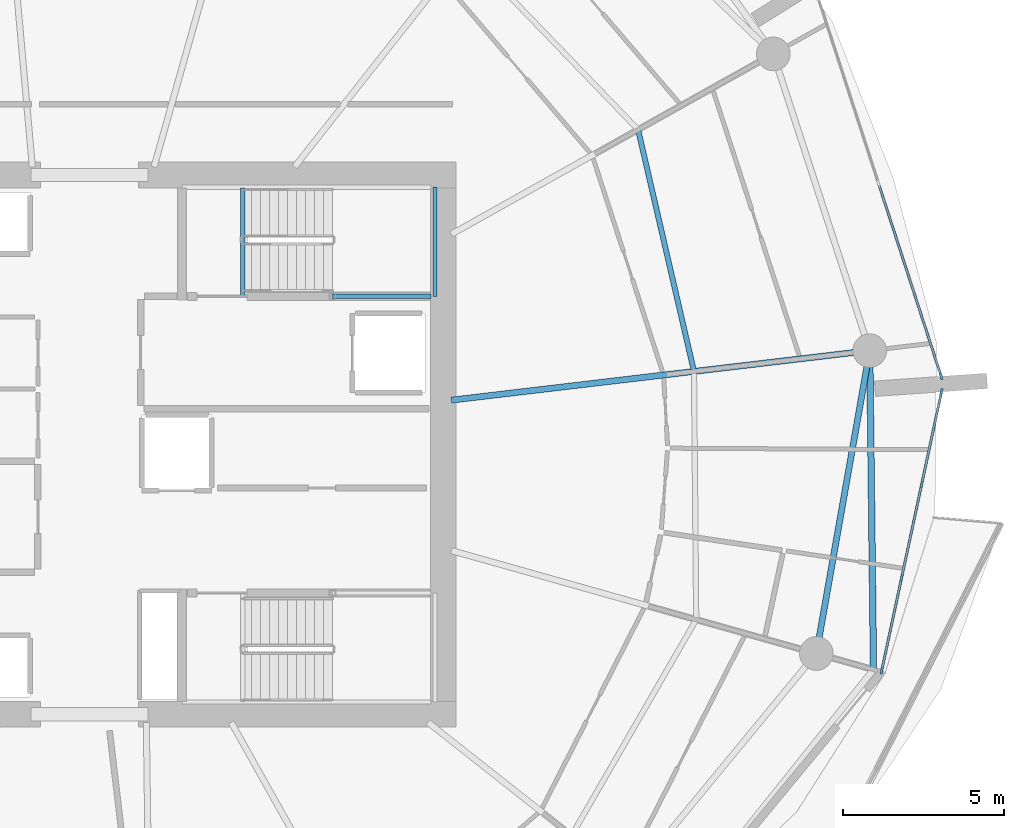
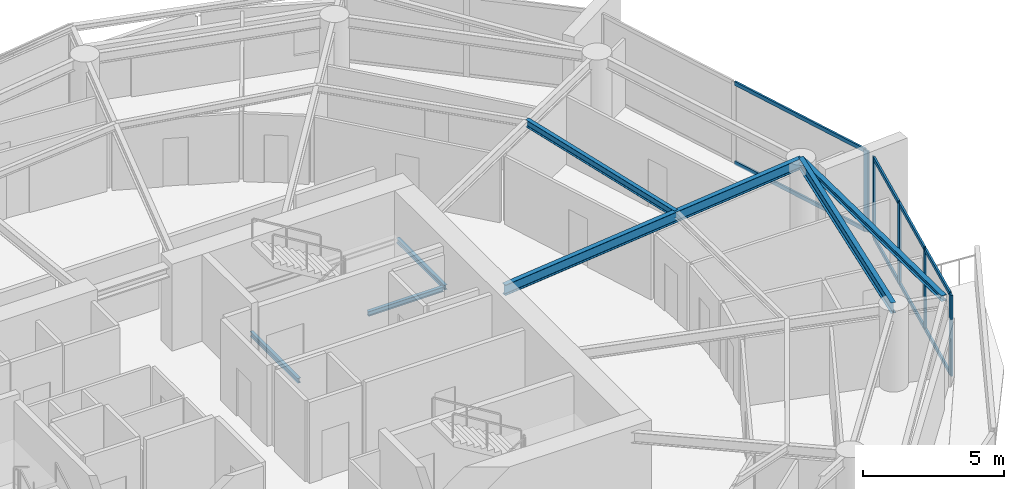
# One storey, part 7 of 20: 13 members, 7 beams, 2 elements without a shape of their own.
"""IFC4 building model written with IfcOpenShell, lengths in metres."""

from ifc_helpers import new_model, si_unit, direction, frame, origin, origin_2d, place, context, subcontext, project, spatial, rectangle, i_section, extrude, material, layer, layer_set, material_profile, profile_set, type_object, element, aggregate, save


model = new_model("IFC4")

# Units and contexts
model_context = context("Model", 3, precision=1e-05, world=origin(), true_north=direction((0.0, 1.0)))
body_context = subcontext(model_context, "Body", "Model", "MODEL_VIEW")
ifc_project = project(units=[si_unit("LENGTHUNIT", "METRE"), si_unit("AREAUNIT", "SQUARE_METRE"), si_unit("VOLUMEUNIT", "CUBIC_METRE"), si_unit("PLANEANGLEUNIT", "RADIAN"), si_unit("MASSUNIT", "GRAM", prefix="KILO")], contexts=[model_context])

# Site, building, storey
site_placement = place(None, origin())
site = spatial("IfcSite", under=ifc_project, at=site_placement, CompositionType="ELEMENT")
building_placement = place(site_placement, origin())
building = spatial("IfcBuilding", under=site, at=building_placement, Name="Kazma Halo Residences", CompositionType="ELEMENT")
storey_placement = place(building_placement, frame((0.0, 0.0, 142.800048828125)))
storey = spatial("IfcBuildingStorey", under=building, at=storey_placement, Name="L35", CompositionType="ELEMENT", Elevation=142.800048828125)

# Beams
ifc_material_1 = material(Name="Steel S355", Category="steel")
ifc_material_profile_1 = material_profile(ifc_material_1, i_section(OverallWidth=0.201904296875, OverallDepth=0.2470703125, WebThickness=0.00732421875, FlangeThickness=0.010986328125, FilletRadius=0.011962890625, at=origin_2d()), Name="W250x49.1")
ifc_profile_set_1 = profile_set([ifc_material_profile_1], Name="Steel S355")
beam_type_1 = type_object("IfcBeamType", Name="BM-BAL-CANT", PredefinedType="BEAM", material=ifc_profile_set_1)
beam_1_placement = place(storey_placement, frame((72.850341796875, 34.991455078125, 3.37646484375), z_axis=(-0.011793371143, 0.99993045578, 0.0), x_axis=(-0.99993045578, -0.011793371143, 0.0)))
element("IfcBeam", 1, at=beam_1_placement, inside=storey, type_object=beam_type_1, Name="L35 wave-balcony tie beam 15", PredefinedType="BEAM", context=body_context, shape_type="SweptSolid", body=[
    extrude(i_section(OverallWidth=0.201904296875, OverallDepth=0.2470703125, WebThickness=0.00732421875, FlangeThickness=0.010986328125, FilletRadius=0.011962890625, at=origin_2d()), origin(), (0.0, 0.0, 1.0), 9.936767578125),
])
ifc_material_profile_2 = material_profile(ifc_material_1, i_section(OverallWidth=0.18994140625, OverallDepth=0.45703125, WebThickness=0.009033203125, FlangeThickness=0.014404296875, FilletRadius=0.01611328125, at=origin_2d()), Name="W460x74")
ifc_profile_set_2 = profile_set([ifc_material_profile_2], Name="Steel S355")
beam_type_2 = type_object("IfcBeamType", Name="BM-RAD-W460", PredefinedType="BEAM", material=ifc_profile_set_2)
beam_2_placement = place(storey_placement, frame((59.699951171875, 43.384765625, 3.271484375), z_axis=(0.993067181848, 0.117548170278, 0.0), x_axis=(-0.117548170278, 0.993067181848, 0.0)))
element("IfcBeam", 2, at=beam_2_placement, inside=storey, type_object=beam_type_2, Name="L35 radial floor beam 16", PredefinedType="BEAM", context=body_context, shape_type="SweptSolid", body=[
    extrude(i_section(OverallWidth=0.18994140625, OverallDepth=0.45703125, WebThickness=0.009033203125, FlangeThickness=0.014404296875, FilletRadius=0.01611328125, at=origin_2d()), origin(), (0.0, 0.0, 1.0), 13.124267578125),
])
ifc_material_profile_3 = material_profile(ifc_material_1, i_section(OverallWidth=0.1650390625, OverallDepth=0.31005859375, WebThickness=0.005859375, FlangeThickness=0.009765625, FilletRadius=0.011962890625, at=origin_2d()), Name="W310x38.7")
ifc_profile_set_3 = profile_set([ifc_material_profile_3], Name="Steel S355")
beam_type_3 = type_object("IfcBeamType", Name="BM-SEC-W310B", PredefinedType="JOIST", material=ifc_profile_set_3)
beam_3_placement = place(storey_placement, frame((67.25927734375, 44.279541015625, 3.344970703125), z_axis=(-0.225330067077, 0.97428248515, 0.0), x_axis=(-0.97428248515, -0.225330067077, 0.0)))
element("IfcBeam", 3, at=beam_3_placement, inside=storey, type_object=beam_type_3, Name="L35 circumferential floor joist 16", PredefinedType="JOIST", context=body_context, shape_type="SweptSolid", body=[
    extrude(i_section(OverallWidth=0.1650390625, OverallDepth=0.31005859375, WebThickness=0.005859375, FlangeThickness=0.009765625, FilletRadius=0.011962890625, at=origin_2d()), origin(), (0.0, 0.0, 1.0), 7.7294921875),
])
ifc_material_profile_4 = material_profile(ifc_material_1, i_section(OverallWidth=0.18994140625, OverallDepth=0.45703125, WebThickness=0.009033203125, FlangeThickness=0.014404296875, FilletRadius=0.01611328125, at=origin_2d()), Name="W460x74")
ifc_profile_set_4 = profile_set([ifc_material_profile_4], Name="Steel S355")
beam_type_4 = type_object("IfcBeamType", Name="BM-SPN-W460", PredefinedType="BEAM", material=ifc_profile_set_4)
beam_4_placement = place(storey_placement, frame((71.06982421875, 35.49365234375, 3.271484375), z_axis=(0.173637033425, 0.984809717978, 0.0), x_axis=(-0.984809717978, 0.173637033425, 0.0)))
element("IfcBeam", 4, at=beam_4_placement, inside=storey, type_object=beam_type_4, Name="L35 perimeter ring beam 15", PredefinedType="BEAM", context=body_context, shape_type="SweptSolid", body=[
    extrude(i_section(OverallWidth=0.18994140625, OverallDepth=0.45703125, WebThickness=0.009033203125, FlangeThickness=0.014404296875, FilletRadius=0.01611328125, at=origin_2d()), origin(), (0.0, 0.0, 1.0), 9.579345703125),
])
ifc_material_profile_5 = material_profile(ifc_material_1, i_section(OverallWidth=0.133056640625, OverallDepth=0.20703125, WebThickness=0.005859375, FlangeThickness=0.00830078125, FilletRadius=0.010009765625, at=origin_2d()), Name="W200x26.6")
ifc_profile_set_5 = profile_set([ifc_material_profile_5], Name="Steel S355")
beam_type_5 = type_object("IfcBeamType", Name="BM-TRIM-W200", PredefinedType="BEAM", material=ifc_profile_set_5)
beam_5_placement = place(storey_placement, frame((53.199951171875, 46.6201171875, -0.360107421875), z_axis=(0.0, 1.0, 0.0), x_axis=(-1.0, 0.0, 0.0)))
element("IfcBeam", 5, at=beam_5_placement, inside=storey, type_object=beam_type_5, Name="L35 ST-02 floor landing support beam", PredefinedType="BEAM", context=body_context, shape_type="SweptSolid", body=[
    extrude(i_section(OverallWidth=0.133056640625, OverallDepth=0.20703125, WebThickness=0.005859375, FlangeThickness=0.00830078125, FilletRadius=0.010009765625, at=origin_2d()), origin(), (0.0, 0.0, 1.0), 3.3798828125),
])
beam_6_placement = place(storey_placement, frame((56.0, 46.6201171875, 1.570068359375), z_axis=(1.0, 0.0, 0.0), x_axis=(0.0, 1.0, 0.0)))
element("IfcBeam", 6, at=beam_6_placement, inside=storey, type_object=beam_type_5, Name="L35 ST-02 landing south wall ledger", PredefinedType="BEAM", context=body_context, shape_type="SweptSolid", body=[
    extrude(i_section(OverallWidth=0.133056640625, OverallDepth=0.20703125, WebThickness=0.005859375, FlangeThickness=0.00830078125, FilletRadius=0.010009765625, at=origin_2d()), origin(), (0.0, 0.0, 1.0), 3.070068359375),
])
beam_7_placement = place(storey_placement, frame((59.18994140625, 46.6201171875, 1.570068359375), z_axis=(0.0, 1.0, 0.0), x_axis=(-1.0, 0.0, 0.0)))
element("IfcBeam", 7, at=beam_7_placement, inside=storey, type_object=beam_type_5, Name="L35 ST-02 landing end wall ledger", PredefinedType="BEAM", context=body_context, shape_type="SweptSolid", body=[
    extrude(i_section(OverallWidth=0.133056640625, OverallDepth=0.20703125, WebThickness=0.005859375, FlangeThickness=0.00830078125, FilletRadius=0.010009765625, at=origin_2d()), origin(), (0.0, 0.0, 1.0), 3.39990234375),
])

# Curtain wall, members
ifc_material_2 = material(Name="Aluminium AW-6063 T6 and Triple-Silver Low-E Glass", Category="aluminium")
ifc_layer = layer(ifc_material_2, 0.219970703125)
ifc_layer_set = layer_set([ifc_layer], Name="Aluminium AW-6063 T6 and Triple-Silver Low-E Glass")
curtain_wall_type = type_object("IfcCurtainWallType", Name="CW-SYS-4", PredefinedType="NOTDEFINED", material=ifc_layer_set)
curtain_wall_1_placement = place(storey_placement, origin())
curtain_wall_1 = element("IfcCurtainWall", 8, at=curtain_wall_1_placement, inside=storey, type_object=curtain_wall_type, Name="L35 unitised curtain wall B15", PredefinedType="NOTDEFINED")
ifc_material_3 = material(Name="Aluminium AW-6063 T6", Category="aluminium")
ifc_material_profile_6 = material_profile(ifc_material_3, rectangle(XDim=0.074951171875, YDim=0.219970703125, at=origin_2d()), Name="CWM-75x220")
ifc_profile_set_6 = profile_set([ifc_material_profile_6], Name="Aluminium AW-6063 T6")
member_type_1 = type_object("IfcMemberType", Name="CW-SYS-4-MUL", PredefinedType="MULLION", material=ifc_profile_set_6)
member_1_placement = place(storey_placement, frame((73.105224609375, 34.95849609375, 0.0), z_axis=(0.0, 0.0, 1.0), x_axis=(-0.977764957684, 0.209703809037, 0.0)))
member_1 = element("IfcMember", 9, at=member_1_placement, type_object=member_type_1, Name="CWS-4 mullion 1", PredefinedType="MULLION", context=body_context, shape_type="SweptSolid", body=[
    extrude(rectangle(XDim=0.074951171875, YDim=0.219970703125, at=origin_2d()), origin(), (0.0, 0.0, 1.0), 3.5),
])
member_2_placement = place(storey_placement, frame((73.72314453125, 37.839111328125, 0.0), z_axis=(0.0, 0.0, 1.0), x_axis=(-0.977764957684, 0.209703809037, 0.0)))
member_2 = element("IfcMember", 10, at=member_2_placement, type_object=member_type_1, Name="CWS-4 mullion 2", PredefinedType="MULLION", context=body_context, shape_type="SweptSolid", body=[
    extrude(rectangle(XDim=0.074951171875, YDim=0.219970703125, at=origin_2d()), origin(), (0.0, 0.0, 1.0), 3.5),
])
member_3_placement = place(storey_placement, frame((74.3486328125, 40.75634765625, 0.0), z_axis=(0.0, 0.0, 1.0), x_axis=(-0.977764957684, 0.209703809037, 0.0)))
member_3 = element("IfcMember", 11, at=member_3_placement, type_object=member_type_1, Name="CWS-4 mullion 3", PredefinedType="MULLION", context=body_context, shape_type="SweptSolid", body=[
    extrude(rectangle(XDim=0.074951171875, YDim=0.219970703125, at=origin_2d()), origin(), (0.0, 0.0, 1.0), 3.5),
])
member_4_placement = place(storey_placement, frame((74.966552734375, 43.63671875, 0.0), z_axis=(0.0, 0.0, 1.0), x_axis=(-0.977764957684, 0.209703809037, 0.0)))
member_4 = element("IfcMember", 12, at=member_4_placement, type_object=member_type_1, Name="CWS-4 mullion 4", PredefinedType="MULLION", context=body_context, shape_type="SweptSolid", body=[
    extrude(rectangle(XDim=0.074951171875, YDim=0.219970703125, at=origin_2d()), origin(), (0.0, 0.0, 1.0), 3.5),
])

# Curtain wall, member
curtain_wall_2_placement = place(storey_placement, origin())
curtain_wall_2 = element("IfcCurtainWall", 13, at=curtain_wall_2_placement, inside=storey, type_object=curtain_wall_type, Name="L35 unitised curtain wall B16", PredefinedType="NOTDEFINED")
member_5_placement = place(storey_placement, frame((74.955810546875, 44.13427734375, 0.0), z_axis=(0.0, 0.0, 1.0), x_axis=(-0.951057547609, -0.3090138203, 0.0)))
member_5 = element("IfcMember", 14, at=member_5_placement, type_object=member_type_1, Name="CWS-4 mullion 1", PredefinedType="MULLION", context=body_context, shape_type="SweptSolid", body=[
    extrude(rectangle(XDim=0.074951171875, YDim=0.219970703125, at=origin_2d()), origin(), (0.0, 0.0, 1.0), 3.5),
])

# Member
ifc_material_profile_7 = material_profile(ifc_material_3, rectangle(XDim=0.074951171875, YDim=0.1650390625, at=origin_2d()), Name="CWT-75x165")
ifc_profile_set_7 = profile_set([ifc_material_profile_7], Name="Aluminium AW-6063 T6")
member_type_2 = type_object("IfcMemberType", Name="CW-SYS-4-TRN", PredefinedType="USERDEFINED", material=ifc_profile_set_7)
member_6_placement = place(storey_placement, frame((73.113037109375, 34.9951171875, 0.037353515625), z_axis=(0.209703309269, 0.977765064871, 0.0), x_axis=(-0.977765064871, 0.209703309269, 0.0)))
member_6 = element("IfcMember", 15, at=member_6_placement, type_object=member_type_2, Name="CWS-4 transom 1.1", ObjectType="TRANSOM", PredefinedType="USERDEFINED", context=body_context, shape_type="SweptSolid", body=[
    extrude(rectangle(XDim=0.074951171875, YDim=0.1650390625, at=origin_2d()), origin(), (0.0, 0.0, 1.0), 2.870849609375),
])

member_7_placement = place(storey_placement, frame((73.113037109375, 34.9951171875, 3.46240234375), z_axis=(0.209703309269, 0.977765064871, 0.0), x_axis=(-0.977765064871, 0.209703309269, 0.0)))
member_7 = element("IfcMember", 16, at=member_7_placement, type_object=member_type_2, Name="CWS-4 transom 1.2", ObjectType="TRANSOM", PredefinedType="USERDEFINED", context=body_context, shape_type="SweptSolid", body=[
    extrude(rectangle(XDim=0.074951171875, YDim=0.1650390625, at=origin_2d()), origin(), (0.0, 0.0, 1.0), 2.870849609375),
])

member_8_placement = place(storey_placement, frame((73.73095703125, 37.875732421875, 0.037353515625), z_axis=(0.209689601293, 0.977768004748, 0.0), x_axis=(-0.977768004748, 0.209689601293, 0.0)))
member_8 = element("IfcMember", 17, at=member_8_placement, type_object=member_type_2, Name="CWS-4 transom 2.1", ObjectType="TRANSOM", PredefinedType="USERDEFINED", context=body_context, shape_type="SweptSolid", body=[
    extrude(rectangle(XDim=0.074951171875, YDim=0.1650390625, at=origin_2d()), origin(), (0.0, 0.0, 1.0), 2.908447265625),
])

member_9_placement = place(storey_placement, frame((73.73095703125, 37.875732421875, 3.46240234375), z_axis=(0.209689601293, 0.977768004748, 0.0), x_axis=(-0.977768004748, 0.209689601293, 0.0)))
member_9 = element("IfcMember", 18, at=member_9_placement, type_object=member_type_2, Name="CWS-4 transom 2.2", ObjectType="TRANSOM", PredefinedType="USERDEFINED", context=body_context, shape_type="SweptSolid", body=[
    extrude(rectangle(XDim=0.074951171875, YDim=0.1650390625, at=origin_2d()), origin(), (0.0, 0.0, 1.0), 2.908447265625),
])

member_10_placement = place(storey_placement, frame((74.356689453125, 40.79296875, 0.037353515625), z_axis=(0.209703309269, 0.977765064871, 0.0), x_axis=(-0.977765064871, 0.209703309269, 0.0)))
member_10 = element("IfcMember", 19, at=member_10_placement, type_object=member_type_2, Name="CWS-4 transom 3.1", ObjectType="TRANSOM", PredefinedType="USERDEFINED", context=body_context, shape_type="SweptSolid", body=[
    extrude(rectangle(XDim=0.074951171875, YDim=0.1650390625, at=origin_2d()), origin(), (0.0, 0.0, 1.0), 2.870849609375),
])

member_11_placement = place(storey_placement, frame((74.356689453125, 40.79296875, 3.46240234375), z_axis=(0.209703309269, 0.977765064871, 0.0), x_axis=(-0.977765064871, 0.209703309269, 0.0)))
member_11 = element("IfcMember", 20, at=member_11_placement, type_object=member_type_2, Name="CWS-4 transom 3.2", ObjectType="TRANSOM", PredefinedType="USERDEFINED", context=body_context, shape_type="SweptSolid", body=[
    extrude(rectangle(XDim=0.074951171875, YDim=0.1650390625, at=origin_2d()), origin(), (0.0, 0.0, 1.0), 2.870849609375),
])

aggregate(curtain_wall_1, [member_1, member_2, member_3, member_4, member_6, member_7, member_8, member_9, member_10, member_11])

member_12_placement = place(storey_placement, frame((74.9443359375, 44.169921875, 0.037353515625), z_axis=(-0.309006258762, 0.95106000444, 0.0), x_axis=(-0.95106000444, -0.309006258762, 0.0)))
member_12 = element("IfcMember", 21, at=member_12_placement, type_object=member_type_2, Name="CWS-4 transom 1.1", ObjectType="TRANSOM", PredefinedType="USERDEFINED", context=body_context, shape_type="SweptSolid", body=[
    extrude(rectangle(XDim=0.074951171875, YDim=0.1650390625, at=origin_2d()), origin(), (0.0, 0.0, 1.0), 6.22509765625),
])

member_13_placement = place(storey_placement, frame((74.9443359375, 44.169921875, 3.46240234375), z_axis=(-0.309006258762, 0.95106000444, 0.0), x_axis=(-0.95106000444, -0.309006258762, 0.0)))
member_13 = element("IfcMember", 22, at=member_13_placement, type_object=member_type_2, Name="CWS-4 transom 1.2", ObjectType="TRANSOM", PredefinedType="USERDEFINED", context=body_context, shape_type="SweptSolid", body=[
    extrude(rectangle(XDim=0.074951171875, YDim=0.1650390625, at=origin_2d()), origin(), (0.0, 0.0, 1.0), 6.22509765625),
])

aggregate(curtain_wall_2, [member_5, member_12, member_13])

save(model, "model.ifc")
